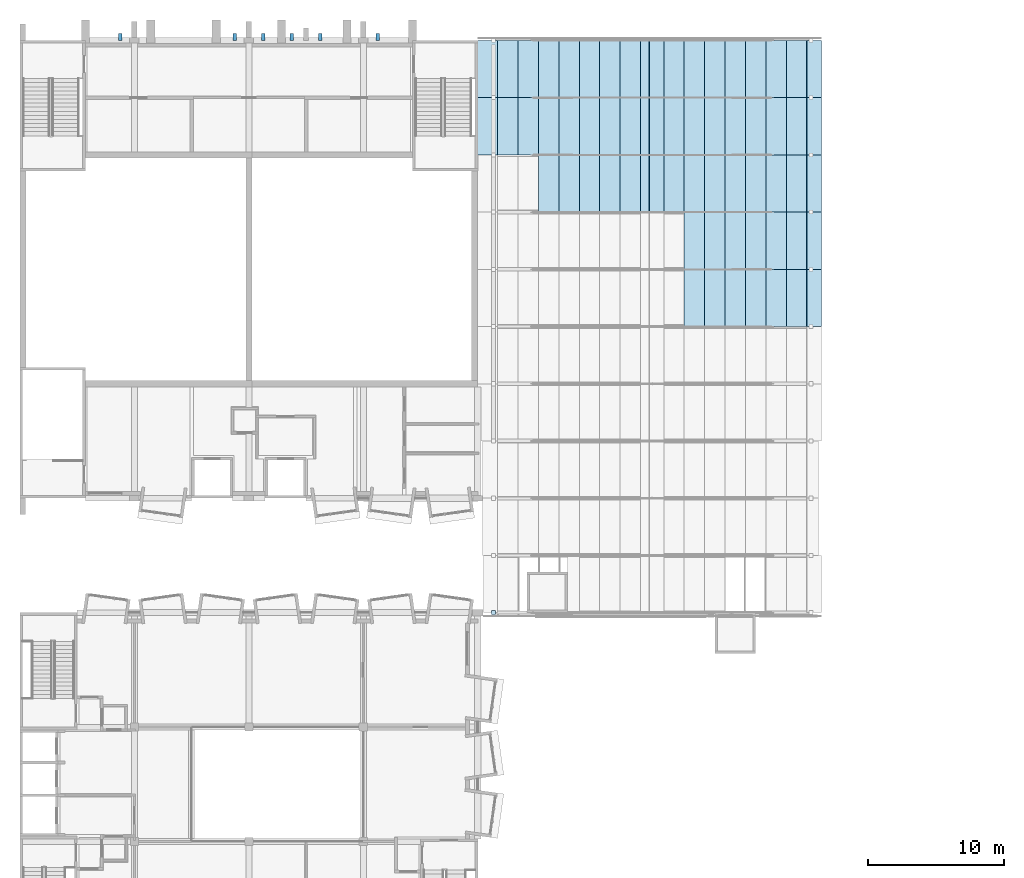
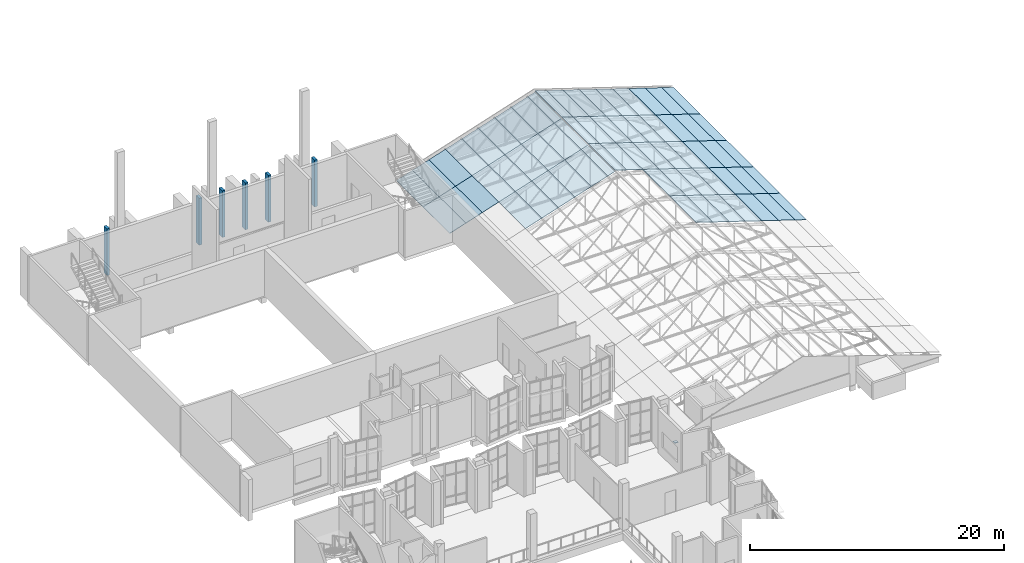
# One storey, part 73 of 95: 72 plates.
"""IFC4 building model written with IfcOpenShell, lengths in metres."""

from ifc_helpers import new_model, si_unit, direction, frame, origin, origin_2d, place, context, subcontext, project, spatial, polyline, rectangle, outline, extrude, material, layer, layer_set, type_object, element, save


model = new_model("IFC4")

# Units and contexts
model_context = context("Model", 3, precision=1e-05, world=origin(), true_north=direction((0.0, 1.0)))
body_context = subcontext(model_context, "Body", "Model", "MODEL_VIEW")
ifc_project = project(units=[si_unit("LENGTHUNIT", "METRE"), si_unit("AREAUNIT", "SQUARE_METRE"), si_unit("VOLUMEUNIT", "CUBIC_METRE"), si_unit("PLANEANGLEUNIT", "RADIAN"), si_unit("MASSUNIT", "GRAM", prefix="KILO")], contexts=[model_context])

# Site, building, storey
site_placement = place(None, origin())
site = spatial("IfcSite", under=ifc_project, at=site_placement, CompositionType="ELEMENT")
building_placement = place(site_placement, origin())
building = spatial("IfcBuilding", under=site, at=building_placement, Name="Kiln Court Media Centre", CompositionType="ELEMENT")
storey_placement = place(building_placement, frame((0.0, 0.0, 24.60009765625)))
storey = spatial("IfcBuildingStorey", under=building, at=storey_placement, Name="L05", CompositionType="ELEMENT", Elevation=24.60009765625)

# Plates
ifc_material_1 = material(Name="Concrete C40/50", Category="concrete")
ifc_layer_1 = layer(ifc_material_1, 0.25)
ifc_layer_set_1 = layer_set([ifc_layer_1], Name="Concrete C40/50 shading fin 250")
plate_type_1 = type_object("IfcPlateType", Name="Concrete C40/50 shading fin 250", PredefinedType="SHEET", material=ifc_layer_set_1)
for number, where, z_axis, x_axis, name in (
    (1, (7.35009765625, 67.449951171875, 0.0), (0.0, 0.0, 1.0), (1.0, 0.0, 0.0), "V4 N fin L05"),
    (2, (15.75, 67.449951171875, 0.0), (0.0, 0.0, 1.0), (1.0, 0.0, 0.0), "V4 N fin L05"),
    (3, (17.85009765625, 67.449951171875, 0.0), (0.0, 0.0, 1.0), (1.0, 0.0, 0.0), "V4 N fin L05"),
    (4, (19.949951171875, 67.449951171875, 0.0), (0.0, 0.0, 1.0), (1.0, 0.0, 0.0), "V4 N fin L05"),
    (5, (22.050048828125, 67.449951171875, 0.0), (0.0, 0.0, 1.0), (1.0, 0.0, 0.0), "V4 N fin L05"),
    (6, (26.25, 67.449951171875, 0.0), (0.0, 0.0, 1.0), (1.0, 0.0, 0.0), "V4 N fin L05"),
):
    element("IfcPlate", number, at=place(storey_placement, frame(where, z_axis=z_axis, x_axis=x_axis)), inside=storey, type_object=plate_type_1, Name=name, PredefinedType="SHEET", context=body_context, shape_type="SweptSolid", body=[
        extrude(rectangle(XDim=0.25, YDim=0.5, at=origin_2d()), origin(), (0.0, 0.0, 1.0), 4.5),
    ])
ifc_material_2 = material(Name="Laminated low-E glazing", Category="glass")
ifc_layer_2 = layer(ifc_material_2, 0.0439453125)
ifc_layer_set_2 = layer_set([ifc_layer_2], Name="Laminated low-E skylight glazing 44")
plate_type_2 = type_object("IfcPlateType", Name="Laminated low-E skylight glazing 44", PredefinedType="USERDEFINED", material=ifc_layer_set_2)
plate_1_placement = place(storey_placement, frame((58.813720703125, 50.39990234375, 0.08349609375), z_axis=(0.308873525372, 0.0, 0.951103120237), x_axis=(-0.951103120237, 0.0, 0.308873525372)))
element("IfcPlate", 7, at=plate_1_placement, inside=storey, type_object=plate_type_2, Name="Foyer roof glazing east 1.6", ObjectType="SKYLIGHT GLAZING", PredefinedType="USERDEFINED", context=body_context, shape_type="SweptSolid", body=[
    extrude(outline(polyline([(0.0, 0.0), (1.1168671795657157, 0.0), (1.1168671795657157, 4.199951171875), (0.0, 4.199951171875), (0.0, 0.0)])), origin(), (0.0, 0.0, -1.0), 0.0439453125),
])
plate_2_placement = place(storey_placement, frame((58.813720703125, 54.60009765625, 0.08349609375), z_axis=(0.308873525372, 0.0, 0.951103120237), x_axis=(-0.951103120237, 0.0, 0.308873525372)))
element("IfcPlate", 8, at=plate_2_placement, inside=storey, type_object=plate_type_2, Name="Foyer roof glazing east 1.7", ObjectType="SKYLIGHT GLAZING", PredefinedType="USERDEFINED", context=body_context, shape_type="SweptSolid", body=[
    extrude(outline(polyline([(0.0, 0.0), (1.1168671795657157, 0.0), (1.1168671795657157, 4.2001953125), (0.0, 4.2001953125), (0.0, 0.0)])), origin(), (0.0, 0.0, -1.0), 0.0439453125),
])
for number, where, z_axis, x_axis, name in (
    (9, (58.813720703125, 58.800048828125, 0.08349609375), (0.308873525372, 0.0, 0.951103120237), (-0.951103120237, 0.0, 0.308873525372), "Foyer roof glazing east 1.8"),
    (10, (58.813720703125, 63.0, 0.08349609375), (0.308873525372, 0.0, 0.951103120237), (-0.951103120237, 0.0, 0.308873525372), "Foyer roof glazing east 1.9"),
    (11, (58.813720703125, 67.199951171875, 0.08349609375), (0.308873525372, 0.0, 0.951103120237), (-0.951103120237, 0.0, 0.308873525372), "Foyer roof glazing east 1.10"),
):
    element("IfcPlate", number, at=place(storey_placement, frame(where, z_axis=z_axis, x_axis=x_axis)), inside=storey, type_object=plate_type_2, Name=name, ObjectType="SKYLIGHT GLAZING", PredefinedType="USERDEFINED", context=body_context, shape_type="SweptSolid", body=[
        extrude(outline(polyline([(0.0, 0.0), (1.1168671795657157, 0.0), (1.1168671795657157, 4.199951171875), (0.0, 4.199951171875), (0.0, 0.0)])), origin(), (0.0, 0.0, -1.0), 0.0439453125),
    ])
plate_3_placement = place(storey_placement, frame((57.75146484375, 50.39990234375, 0.428466796875), z_axis=(0.309114072515, 0.0, 0.951024968218), x_axis=(-0.951024968218, 0.0, 0.309114072515)))
element("IfcPlate", 12, at=plate_3_placement, inside=storey, type_object=plate_type_2, Name="Foyer roof glazing east 2.6", ObjectType="SKYLIGHT GLAZING", PredefinedType="USERDEFINED", context=body_context, shape_type="SweptSolid", body=[
    extrude(outline(polyline([(0.0, 0.0), (1.577245656137959, 0.0), (1.577245656137959, 4.199951171875001), (0.0, 4.199951171875001), (0.0, 0.0)])), origin(), (0.0, 0.0, -1.0), 0.0439453125),
])
plate_4_placement = place(storey_placement, frame((57.75146484375, 54.60009765625, 0.428466796875), z_axis=(0.309114072515, 0.0, 0.951024968218), x_axis=(-0.951024968218, 0.0, 0.309114072515)))
element("IfcPlate", 13, at=plate_4_placement, inside=storey, type_object=plate_type_2, Name="Foyer roof glazing east 2.7", ObjectType="SKYLIGHT GLAZING", PredefinedType="USERDEFINED", context=body_context, shape_type="SweptSolid", body=[
    extrude(outline(polyline([(0.0, 0.0), (1.577245656137959, 0.0), (1.577245656137959, 4.200195312500001), (0.0, 4.200195312500001), (0.0, 0.0)])), origin(), (0.0, 0.0, -1.0), 0.0439453125),
])
for number, where, z_axis, x_axis, name in (
    (14, (57.75146484375, 58.800048828125, 0.428466796875), (0.309114072515, 0.0, 0.951024968218), (-0.951024968218, 0.0, 0.309114072515), "Foyer roof glazing east 2.8"),
    (15, (57.75146484375, 63.0, 0.428466796875), (0.309114072515, 0.0, 0.951024968218), (-0.951024968218, 0.0, 0.309114072515), "Foyer roof glazing east 2.9"),
    (16, (57.75146484375, 67.199951171875, 0.428466796875), (0.309114072515, 0.0, 0.951024968218), (-0.951024968218, 0.0, 0.309114072515), "Foyer roof glazing east 2.10"),
):
    element("IfcPlate", number, at=place(storey_placement, frame(where, z_axis=z_axis, x_axis=x_axis)), inside=storey, type_object=plate_type_2, Name=name, ObjectType="SKYLIGHT GLAZING", PredefinedType="USERDEFINED", context=body_context, shape_type="SweptSolid", body=[
        extrude(outline(polyline([(0.0, 0.0), (1.577245656137959, 0.0), (1.577245656137959, 4.199951171875001), (0.0, 4.199951171875001), (0.0, 0.0)])), origin(), (0.0, 0.0, -1.0), 0.0439453125),
    ])
plate_5_placement = place(storey_placement, frame((56.25146484375, 50.39990234375, 0.916015625), z_axis=(0.308974063591, 0.0, 0.951070464281), x_axis=(-0.951070464281, 0.0, 0.308974063591)))
element("IfcPlate", 17, at=plate_5_placement, inside=storey, type_object=plate_type_2, Name="Foyer roof glazing east 3.6", ObjectType="SKYLIGHT GLAZING", PredefinedType="USERDEFINED", context=body_context, shape_type="SweptSolid", body=[
    extrude(outline(polyline([(0.0, 0.0), (1.5771702059256232, 0.0), (1.5771702059256232, 4.199951171875), (0.0, 4.199951171875), (0.0, 0.0)])), origin(), (0.0, 0.0, -1.0), 0.0439453125),
])
plate_6_placement = place(storey_placement, frame((56.25146484375, 54.60009765625, 0.916015625), z_axis=(0.308974063591, 0.0, 0.951070464281), x_axis=(-0.951070464281, 0.0, 0.308974063591)))
element("IfcPlate", 18, at=plate_6_placement, inside=storey, type_object=plate_type_2, Name="Foyer roof glazing east 3.7", ObjectType="SKYLIGHT GLAZING", PredefinedType="USERDEFINED", context=body_context, shape_type="SweptSolid", body=[
    extrude(outline(polyline([(0.0, 0.0), (1.5771702059256234, 0.0), (1.5771702059256234, 4.2001953125), (0.0, 4.2001953125), (0.0, 0.0)])), origin(), (0.0, 0.0, -1.0), 0.0439453125),
])
for number, where, z_axis, x_axis, name in (
    (19, (56.25146484375, 58.800048828125, 0.916015625), (0.308974063591, 0.0, 0.951070464281), (-0.951070464281, 0.0, 0.308974063591), "Foyer roof glazing east 3.8"),
    (20, (56.25146484375, 63.0, 0.916015625), (0.308974063591, 0.0, 0.951070464281), (-0.951070464281, 0.0, 0.308974063591), "Foyer roof glazing east 3.9"),
    (21, (56.25146484375, 67.199951171875, 0.916015625), (0.308974063591, 0.0, 0.951070464281), (-0.951070464281, 0.0, 0.308974063591), "Foyer roof glazing east 3.10"),
    (22, (54.75146484375, 50.39990234375, 1.4033203125), (0.308974063591, 0.0, 0.951070464281), (-0.951070464281, 0.0, 0.308974063591), "Foyer roof glazing east 4.6"),
):
    element("IfcPlate", number, at=place(storey_placement, frame(where, z_axis=z_axis, x_axis=x_axis)), inside=storey, type_object=plate_type_2, Name=name, ObjectType="SKYLIGHT GLAZING", PredefinedType="USERDEFINED", context=body_context, shape_type="SweptSolid", body=[
        extrude(outline(polyline([(0.0, 0.0), (1.5771702059256232, 0.0), (1.5771702059256232, 4.199951171875), (0.0, 4.199951171875), (0.0, 0.0)])), origin(), (0.0, 0.0, -1.0), 0.0439453125),
    ])
plate_7_placement = place(storey_placement, frame((54.75146484375, 54.60009765625, 1.4033203125), z_axis=(0.308974063591, 0.0, 0.951070464281), x_axis=(-0.951070464281, 0.0, 0.308974063591)))
element("IfcPlate", 23, at=plate_7_placement, inside=storey, type_object=plate_type_2, Name="Foyer roof glazing east 4.7", ObjectType="SKYLIGHT GLAZING", PredefinedType="USERDEFINED", context=body_context, shape_type="SweptSolid", body=[
    extrude(outline(polyline([(0.0, 0.0), (1.5771702059256234, 0.0), (1.5771702059256234, 4.2001953125), (0.0, 4.2001953125), (0.0, 0.0)])), origin(), (0.0, 0.0, -1.0), 0.0439453125),
])
for number, where, z_axis, x_axis, name in (
    (24, (54.75146484375, 58.800048828125, 1.4033203125), (0.308974063591, 0.0, 0.951070464281), (-0.951070464281, 0.0, 0.308974063591), "Foyer roof glazing east 4.8"),
    (25, (54.75146484375, 63.0, 1.4033203125), (0.308974063591, 0.0, 0.951070464281), (-0.951070464281, 0.0, 0.308974063591), "Foyer roof glazing east 4.9"),
    (26, (54.75146484375, 67.199951171875, 1.4033203125), (0.308974063591, 0.0, 0.951070464281), (-0.951070464281, 0.0, 0.308974063591), "Foyer roof glazing east 4.10"),
):
    element("IfcPlate", number, at=place(storey_placement, frame(where, z_axis=z_axis, x_axis=x_axis)), inside=storey, type_object=plate_type_2, Name=name, ObjectType="SKYLIGHT GLAZING", PredefinedType="USERDEFINED", context=body_context, shape_type="SweptSolid", body=[
        extrude(outline(polyline([(0.0, 0.0), (1.5771702059256232, 0.0), (1.5771702059256232, 4.199951171875), (0.0, 4.199951171875), (0.0, 0.0)])), origin(), (0.0, 0.0, -1.0), 0.0439453125),
    ])
plate_8_placement = place(storey_placement, frame((53.25146484375, 50.39990234375, 1.890625), z_axis=(0.309114072515, 0.0, 0.951024968218), x_axis=(-0.951024968218, 0.0, 0.309114072515)))
element("IfcPlate", 27, at=plate_8_placement, inside=storey, type_object=plate_type_2, Name="Foyer roof glazing east 5.6", ObjectType="SKYLIGHT GLAZING", PredefinedType="USERDEFINED", context=body_context, shape_type="SweptSolid", body=[
    extrude(outline(polyline([(0.0, 0.0), (1.577245656137959, 0.0), (1.577245656137959, 4.199951171875001), (0.0, 4.199951171875001), (0.0, 0.0)])), origin(), (0.0, 0.0, -1.0), 0.0439453125),
])
plate_9_placement = place(storey_placement, frame((53.25146484375, 54.60009765625, 1.890625), z_axis=(0.309114072515, 0.0, 0.951024968218), x_axis=(-0.951024968218, 0.0, 0.309114072515)))
element("IfcPlate", 28, at=plate_9_placement, inside=storey, type_object=plate_type_2, Name="Foyer roof glazing east 5.7", ObjectType="SKYLIGHT GLAZING", PredefinedType="USERDEFINED", context=body_context, shape_type="SweptSolid", body=[
    extrude(outline(polyline([(0.0, 0.0), (1.577245656137959, 0.0), (1.577245656137959, 4.200195312500001), (0.0, 4.200195312500001), (0.0, 0.0)])), origin(), (0.0, 0.0, -1.0), 0.0439453125),
])
for number, where, z_axis, x_axis, name in (
    (29, (53.25146484375, 58.800048828125, 1.890625), (0.309114072515, 0.0, 0.951024968218), (-0.951024968218, 0.0, 0.309114072515), "Foyer roof glazing east 5.8"),
    (30, (53.25146484375, 63.0, 1.890625), (0.309114072515, 0.0, 0.951024968218), (-0.951024968218, 0.0, 0.309114072515), "Foyer roof glazing east 5.9"),
    (31, (53.25146484375, 67.199951171875, 1.890625), (0.309114072515, 0.0, 0.951024968218), (-0.951024968218, 0.0, 0.309114072515), "Foyer roof glazing east 5.10"),
):
    element("IfcPlate", number, at=place(storey_placement, frame(where, z_axis=z_axis, x_axis=x_axis)), inside=storey, type_object=plate_type_2, Name=name, ObjectType="SKYLIGHT GLAZING", PredefinedType="USERDEFINED", context=body_context, shape_type="SweptSolid", body=[
        extrude(outline(polyline([(0.0, 0.0), (1.577245656137959, 0.0), (1.577245656137959, 4.199951171875001), (0.0, 4.199951171875001), (0.0, 0.0)])), origin(), (0.0, 0.0, -1.0), 0.0439453125),
    ])
plate_10_placement = place(storey_placement, frame((51.75146484375, 50.39990234375, 2.378173828125), z_axis=(0.308974063591, 0.0, 0.951070464281), x_axis=(-0.951070464281, 0.0, 0.308974063591)))
element("IfcPlate", 32, at=plate_10_placement, inside=storey, type_object=plate_type_2, Name="Foyer roof glazing east 6.6", ObjectType="SKYLIGHT GLAZING", PredefinedType="USERDEFINED", context=body_context, shape_type="SweptSolid", body=[
    extrude(outline(polyline([(0.0, 0.0), (1.5771702059256232, 0.0), (1.5771702059256232, 4.199951171875), (0.0, 4.199951171875), (0.0, 0.0)])), origin(), (0.0, 0.0, -1.0), 0.0439453125),
])
plate_11_placement = place(storey_placement, frame((51.75146484375, 54.60009765625, 2.378173828125), z_axis=(0.308974063591, 0.0, 0.951070464281), x_axis=(-0.951070464281, 0.0, 0.308974063591)))
element("IfcPlate", 33, at=plate_11_placement, inside=storey, type_object=plate_type_2, Name="Foyer roof glazing east 6.7", ObjectType="SKYLIGHT GLAZING", PredefinedType="USERDEFINED", context=body_context, shape_type="SweptSolid", body=[
    extrude(outline(polyline([(0.0, 0.0), (1.5771702059256234, 0.0), (1.5771702059256234, 4.2001953125), (0.0, 4.2001953125), (0.0, 0.0)])), origin(), (0.0, 0.0, -1.0), 0.0439453125),
])
for number, where, z_axis, x_axis, name in (
    (34, (51.75146484375, 58.800048828125, 2.378173828125), (0.308974063591, 0.0, 0.951070464281), (-0.951070464281, 0.0, 0.308974063591), "Foyer roof glazing east 6.8"),
    (35, (51.75146484375, 63.0, 2.378173828125), (0.308974063591, 0.0, 0.951070464281), (-0.951070464281, 0.0, 0.308974063591), "Foyer roof glazing east 6.9"),
    (36, (51.75146484375, 67.199951171875, 2.378173828125), (0.308974063591, 0.0, 0.951070464281), (-0.951070464281, 0.0, 0.308974063591), "Foyer roof glazing east 6.10"),
    (37, (50.25146484375, 50.39990234375, 2.865478515625), (0.308974063591, 0.0, 0.951070464281), (-0.951070464281, 0.0, 0.308974063591), "Foyer roof glazing east 7.6"),
):
    element("IfcPlate", number, at=place(storey_placement, frame(where, z_axis=z_axis, x_axis=x_axis)), inside=storey, type_object=plate_type_2, Name=name, ObjectType="SKYLIGHT GLAZING", PredefinedType="USERDEFINED", context=body_context, shape_type="SweptSolid", body=[
        extrude(outline(polyline([(0.0, 0.0), (1.5771702059256232, 0.0), (1.5771702059256232, 4.199951171875), (0.0, 4.199951171875), (0.0, 0.0)])), origin(), (0.0, 0.0, -1.0), 0.0439453125),
    ])
plate_12_placement = place(storey_placement, frame((50.25146484375, 54.60009765625, 2.865478515625), z_axis=(0.308974063591, 0.0, 0.951070464281), x_axis=(-0.951070464281, 0.0, 0.308974063591)))
element("IfcPlate", 38, at=plate_12_placement, inside=storey, type_object=plate_type_2, Name="Foyer roof glazing east 7.7", ObjectType="SKYLIGHT GLAZING", PredefinedType="USERDEFINED", context=body_context, shape_type="SweptSolid", body=[
    extrude(outline(polyline([(0.0, 0.0), (1.5771702059256234, 0.0), (1.5771702059256234, 4.2001953125), (0.0, 4.2001953125), (0.0, 0.0)])), origin(), (0.0, 0.0, -1.0), 0.0439453125),
])
for number, where, z_axis, x_axis, name in (
    (39, (50.25146484375, 58.800048828125, 2.865478515625), (0.308974063591, 0.0, 0.951070464281), (-0.951070464281, 0.0, 0.308974063591), "Foyer roof glazing east 7.8"),
    (40, (50.25146484375, 63.0, 2.865478515625), (0.308974063591, 0.0, 0.951070464281), (-0.951070464281, 0.0, 0.308974063591), "Foyer roof glazing east 7.9"),
    (41, (50.25146484375, 67.199951171875, 2.865478515625), (0.308974063591, 0.0, 0.951070464281), (-0.951070464281, 0.0, 0.308974063591), "Foyer roof glazing east 7.10"),
    (42, (48.75146484375, 58.800048828125, 3.352783203125), (0.308974063591, 0.0, 0.951070464281), (-0.951070464281, 0.0, 0.308974063591), "Foyer roof glazing east 8.8"),
    (43, (48.75146484375, 63.0, 3.352783203125), (0.308974063591, 0.0, 0.951070464281), (-0.951070464281, 0.0, 0.308974063591), "Foyer roof glazing east 8.9"),
    (44, (48.75146484375, 67.199951171875, 3.352783203125), (0.308974063591, 0.0, 0.951070464281), (-0.951070464281, 0.0, 0.308974063591), "Foyer roof glazing east 8.10"),
):
    element("IfcPlate", number, at=place(storey_placement, frame(where, z_axis=z_axis, x_axis=x_axis)), inside=storey, type_object=plate_type_2, Name=name, ObjectType="SKYLIGHT GLAZING", PredefinedType="USERDEFINED", context=body_context, shape_type="SweptSolid", body=[
        extrude(outline(polyline([(0.0, 0.0), (1.5771702059256232, 0.0), (1.5771702059256232, 4.199951171875), (0.0, 4.199951171875), (0.0, 0.0)])), origin(), (0.0, 0.0, -1.0), 0.0439453125),
    ])
for number, where, z_axis, x_axis, name in (
    (45, (47.25146484375, 58.800048828125, 3.840087890625), (0.309009902499, 0.0, 0.951058820556), (-0.951058820556, 0.0, 0.309009902499), "Foyer roof glazing east 9.8"),
    (46, (47.25146484375, 63.0, 3.840087890625), (0.309009902499, 0.0, 0.951058820556), (-0.951058820556, 0.0, 0.309009902499), "Foyer roof glazing east 9.9"),
    (47, (47.25146484375, 67.199951171875, 3.840087890625), (0.309009902499, 0.0, 0.951058820556), (-0.951058820556, 0.0, 0.309009902499), "Foyer roof glazing east 9.10"),
):
    element("IfcPlate", number, at=place(storey_placement, frame(where, z_axis=z_axis, x_axis=x_axis)), inside=storey, type_object=plate_type_2, Name=name, ObjectType="SKYLIGHT GLAZING", PredefinedType="USERDEFINED", context=body_context, shape_type="SweptSolid", body=[
        extrude(outline(polyline([(0.0, 0.0), (1.0871415358627208, 0.0), (1.0871415358627208, 4.199951171875), (0.0, 4.199951171875), (0.0, 0.0)])), origin(), (0.0, 0.0, -1.0), 0.0439453125),
    ])
for number, where, z_axis, x_axis, name in (
    (48, (33.58642578125, 58.800048828125, -0.04638671875), (-0.308881383419, 0.0, 0.951100568277), (0.951100568277, 0.0, 0.308881383419), "Foyer roof glazing west 1.9"),
    (49, (33.58642578125, 63.0, -0.04638671875), (-0.308881383419, 0.0, 0.951100568277), (0.951100568277, 0.0, 0.308881383419), "Foyer roof glazing west 1.10"),
):
    element("IfcPlate", number, at=place(storey_placement, frame(where, z_axis=z_axis, x_axis=x_axis)), inside=storey, type_object=plate_type_2, Name=name, ObjectType="SKYLIGHT GLAZING", PredefinedType="USERDEFINED", context=body_context, shape_type="SweptSolid", body=[
        extrude(outline(polyline([(0.0, 0.0), (1.5373329087309462, 0.0), (1.5373329087309462, 4.199951171875001), (0.0, 4.199951171875001), (0.0, 0.0)])), origin(), (0.0, 0.0, -1.0), 0.0439453125),
    ])
for number, where, z_axis, x_axis, name in (
    (50, (35.048583984375, 58.800048828125, 0.428466796875), (-0.309114072515, 0.0, 0.951024968218), (0.951024968218, 0.0, 0.309114072515), "Foyer roof glazing west 2.9"),
    (51, (35.048583984375, 63.0, 0.428466796875), (-0.309114072515, 0.0, 0.951024968218), (0.951024968218, 0.0, 0.309114072515), "Foyer roof glazing west 2.10"),
):
    element("IfcPlate", number, at=place(storey_placement, frame(where, z_axis=z_axis, x_axis=x_axis)), inside=storey, type_object=plate_type_2, Name=name, ObjectType="SKYLIGHT GLAZING", PredefinedType="USERDEFINED", context=body_context, shape_type="SweptSolid", body=[
        extrude(outline(polyline([(0.0, 0.0), (1.577245656137959, 0.0), (1.577245656137959, 4.199951171875001), (0.0, 4.199951171875001), (0.0, 0.0)])), origin(), (0.0, 0.0, -1.0), 0.0439453125),
    ])
for number, where, z_axis, x_axis, name in (
    (52, (36.548583984375, 58.800048828125, 0.916015625), (-0.308974063591, 0.0, 0.951070464281), (0.951070464281, 0.0, 0.308974063591), "Foyer roof glazing west 3.9"),
    (53, (36.548583984375, 63.0, 0.916015625), (-0.308974063591, 0.0, 0.951070464281), (0.951070464281, 0.0, 0.308974063591), "Foyer roof glazing west 3.10"),
    (54, (38.048583984375, 54.60009765625, 1.4033203125), (-0.308974063591, 0.0, 0.951070464281), (0.951070464281, 0.0, 0.308974063591), "Foyer roof glazing west 4.8"),
    (55, (38.048583984375, 58.800048828125, 1.4033203125), (-0.308974063591, 0.0, 0.951070464281), (0.951070464281, 0.0, 0.308974063591), "Foyer roof glazing west 4.9"),
    (56, (38.048583984375, 63.0, 1.4033203125), (-0.308974063591, 0.0, 0.951070464281), (0.951070464281, 0.0, 0.308974063591), "Foyer roof glazing west 4.10"),
):
    element("IfcPlate", number, at=place(storey_placement, frame(where, z_axis=z_axis, x_axis=x_axis)), inside=storey, type_object=plate_type_2, Name=name, ObjectType="SKYLIGHT GLAZING", PredefinedType="USERDEFINED", context=body_context, shape_type="SweptSolid", body=[
        extrude(outline(polyline([(0.0, 0.0), (1.5771702059256232, 0.0), (1.5771702059256232, 4.199951171875), (0.0, 4.199951171875), (0.0, 0.0)])), origin(), (0.0, 0.0, -1.0), 0.0439453125),
    ])
for number, where, z_axis, x_axis, name in (
    (57, (39.548583984375, 54.60009765625, 1.890625), (-0.309114072515, 0.0, 0.951024968218), (0.951024968218, 0.0, 0.309114072515), "Foyer roof glazing west 5.8"),
    (58, (39.548583984375, 58.800048828125, 1.890625), (-0.309114072515, 0.0, 0.951024968218), (0.951024968218, 0.0, 0.309114072515), "Foyer roof glazing west 5.9"),
    (59, (39.548583984375, 63.0, 1.890625), (-0.309114072515, 0.0, 0.951024968218), (0.951024968218, 0.0, 0.309114072515), "Foyer roof glazing west 5.10"),
):
    element("IfcPlate", number, at=place(storey_placement, frame(where, z_axis=z_axis, x_axis=x_axis)), inside=storey, type_object=plate_type_2, Name=name, ObjectType="SKYLIGHT GLAZING", PredefinedType="USERDEFINED", context=body_context, shape_type="SweptSolid", body=[
        extrude(outline(polyline([(0.0, 0.0), (1.577245656137959, 0.0), (1.577245656137959, 4.199951171875001), (0.0, 4.199951171875001), (0.0, 0.0)])), origin(), (0.0, 0.0, -1.0), 0.0439453125),
    ])
for number, where, z_axis, x_axis, name in (
    (60, (41.048583984375, 54.60009765625, 2.378173828125), (-0.308974063591, 0.0, 0.951070464281), (0.951070464281, 0.0, 0.308974063591), "Foyer roof glazing west 6.8"),
    (61, (41.048583984375, 58.800048828125, 2.378173828125), (-0.308974063591, 0.0, 0.951070464281), (0.951070464281, 0.0, 0.308974063591), "Foyer roof glazing west 6.9"),
    (62, (41.048583984375, 63.0, 2.378173828125), (-0.308974063591, 0.0, 0.951070464281), (0.951070464281, 0.0, 0.308974063591), "Foyer roof glazing west 6.10"),
    (63, (42.548583984375, 54.60009765625, 2.865478515625), (-0.308974063591, 0.0, 0.951070464281), (0.951070464281, 0.0, 0.308974063591), "Foyer roof glazing west 7.8"),
    (64, (42.548583984375, 58.800048828125, 2.865478515625), (-0.308974063591, 0.0, 0.951070464281), (0.951070464281, 0.0, 0.308974063591), "Foyer roof glazing west 7.9"),
    (65, (42.548583984375, 63.0, 2.865478515625), (-0.308974063591, 0.0, 0.951070464281), (0.951070464281, 0.0, 0.308974063591), "Foyer roof glazing west 7.10"),
    (66, (44.048583984375, 54.60009765625, 3.352783203125), (-0.308974063591, 0.0, 0.951070464281), (0.951070464281, 0.0, 0.308974063591), "Foyer roof glazing west 8.8"),
    (67, (44.048583984375, 58.800048828125, 3.352783203125), (-0.308974063591, 0.0, 0.951070464281), (0.951070464281, 0.0, 0.308974063591), "Foyer roof glazing west 8.9"),
    (68, (44.048583984375, 63.0, 3.352783203125), (-0.308974063591, 0.0, 0.951070464281), (0.951070464281, 0.0, 0.308974063591), "Foyer roof glazing west 8.10"),
):
    element("IfcPlate", number, at=place(storey_placement, frame(where, z_axis=z_axis, x_axis=x_axis)), inside=storey, type_object=plate_type_2, Name=name, ObjectType="SKYLIGHT GLAZING", PredefinedType="USERDEFINED", context=body_context, shape_type="SweptSolid", body=[
        extrude(outline(polyline([(0.0, 0.0), (1.5771702059256232, 0.0), (1.5771702059256232, 4.199951171875), (0.0, 4.199951171875), (0.0, 0.0)])), origin(), (0.0, 0.0, -1.0), 0.0439453125),
    ])
for number, where, z_axis, x_axis, name in (
    (69, (45.548583984375, 54.60009765625, 3.840087890625), (-0.309185471485, 0.0, 0.951001758265), (0.951001758265, 0.0, 0.309185471485), "Foyer roof glazing west 9.8"),
    (70, (45.548583984375, 58.800048828125, 3.840087890625), (-0.309185471485, 0.0, 0.951001758265), (0.951001758265, 0.0, 0.309185471485), "Foyer roof glazing west 9.9"),
    (71, (45.548583984375, 63.0, 3.840087890625), (-0.309185471485, 0.0, 0.951001758265), (0.951001758265, 0.0, 0.309185471485), "Foyer roof glazing west 9.10"),
):
    element("IfcPlate", number, at=place(storey_placement, frame(where, z_axis=z_axis, x_axis=x_axis)), inside=storey, type_object=plate_type_2, Name=name, ObjectType="SKYLIGHT GLAZING", PredefinedType="USERDEFINED", context=body_context, shape_type="SweptSolid", body=[
        extrude(outline(polyline([(0.0, 0.0), (0.6664436285128335, 0.0), (0.6664436285128335, 4.199951171875), (0.0, 4.199951171875), (0.0, 0.0)])), origin(), (0.0, 0.0, -1.0), 0.0439453125),
    ])
ifc_material_3 = material(Name="Steel ASTM A572 Gr 50", Category="steel")
ifc_layer_3 = layer(ifc_material_3, 0.01611328125)
ifc_layer_set_3 = layer_set([ifc_layer_3], Name="Steel ASTM A572 Gr 50 300x300x16 connection plate")
plate_type_3 = type_object("IfcPlateType", Name="Steel ASTM A572 Gr 50 300x300x16 connection plate", PredefinedType="USERDEFINED", material=ifc_layer_set_3)
plate_13_placement = place(storey_placement, frame((34.75, 25.199951171875, -0.152099609375), z_axis=(0.0, 0.0, 1.0), x_axis=(1.0, 0.0, 0.0)))
element("IfcPlate", 72, at=plate_13_placement, inside=storey, type_object=plate_type_3, Name="foyer truss FT-01 west bearing connection plate", ObjectType="CONNECTION PLATE", PredefinedType="USERDEFINED", context=body_context, shape_type="SweptSolid", body=[
    extrude(rectangle(XDim=0.300048828125, YDim=0.300048828125, at=origin_2d()), origin(), (0.0, 0.0, 1.0), 0.01611328125),
])

save(model, "model.ifc")
